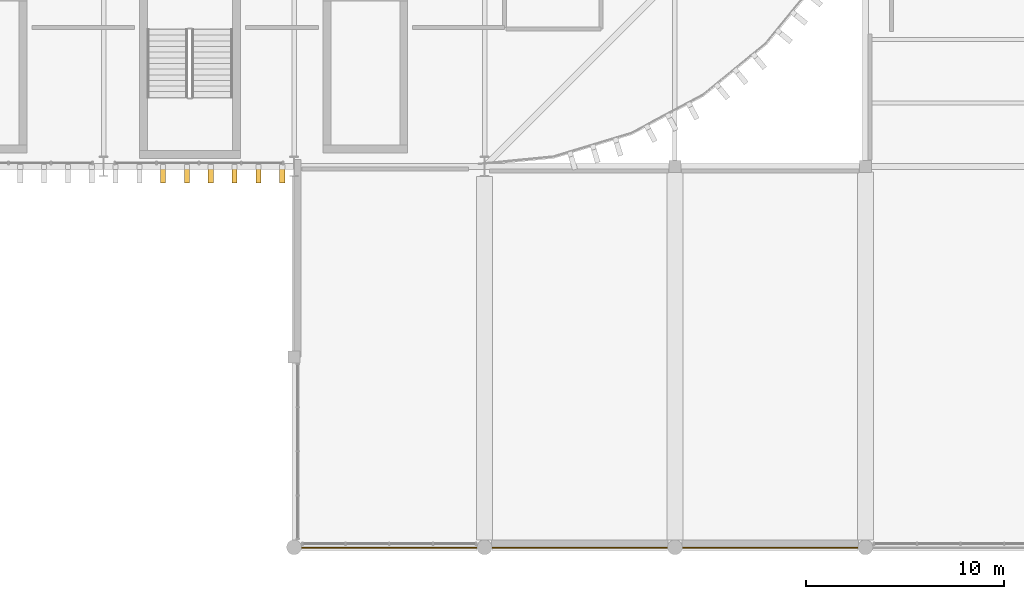
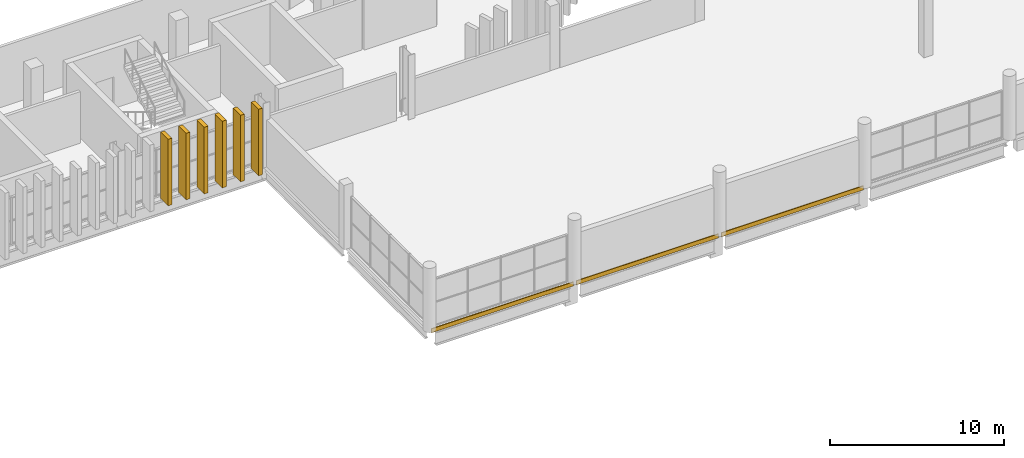
# One storey, part 83 of 92: 9 coverings.
"""IFC4 building model written with IfcOpenShell, lengths in metres."""

from ifc_helpers import new_model, si_unit, direction, frame, origin, origin_2d, place, context, subcontext, project, spatial, rectangle, extrude, material, layer, layer_set, material_profile, profile_set, type_object, element, save


model = new_model("IFC4")

# Units and contexts
model_context = context("Model", 3, precision=1e-05, world=origin(), true_north=direction((0.0, 1.0)))
body_context = subcontext(model_context, "Body", "Model", "MODEL_VIEW")
ifc_project = project(units=[si_unit("LENGTHUNIT", "METRE"), si_unit("AREAUNIT", "SQUARE_METRE"), si_unit("VOLUMEUNIT", "CUBIC_METRE"), si_unit("PLANEANGLEUNIT", "RADIAN"), si_unit("MASSUNIT", "GRAM", prefix="KILO")], contexts=[model_context])

# Site, building, storey
site_placement = place(None, origin())
site = spatial("IfcSite", under=ifc_project, at=site_placement, CompositionType="ELEMENT")
building_placement = place(site_placement, origin())
building = spatial("IfcBuilding", under=site, at=building_placement, Name="Caelomonte Colonnade Arena", CompositionType="ELEMENT")
storey_placement = place(building_placement, frame((0.0, 0.0, 9.60009765625)))
storey = spatial("IfcBuildingStorey", under=building, at=storey_placement, Name="L02", CompositionType="ELEMENT", Elevation=9.60009765625)

# Coverings
ifc_material_1 = material(Name="Travertine ashlar limestone cladding", Category="masonry")
ifc_layer = layer(ifc_material_1, 0.06005859375)
ifc_layer_set = layer_set([ifc_layer], Name="Travertine ashlar limestone cladding")
covering_type_1 = type_object("IfcCoveringType", Name="ENV-CV-CLAD1", PredefinedType="CLADDING", material=ifc_layer_set)
for number, where, z_axis, x_axis, name in (
    (1, (139.199951171875, -0.02001953125, -0.2802734375), (0.0, 0.0, 1.0), (1.0, 0.0, 0.0), "Portico limestone entablature cladding L02-1"),
    (2, (148.800048828125, -0.02001953125, -0.2802734375), (0.0, 0.0, 1.0), (1.0, 0.0, 0.0), "Portico limestone entablature cladding L02-2"),
    (3, (158.39990234375, -0.02001953125, -0.2802734375), (0.0, 0.0, 1.0), (1.0, 0.0, 0.0), "Portico limestone entablature cladding L02-3"),
):
    element("IfcCovering", number, at=place(storey_placement, frame(where, z_axis=z_axis, x_axis=x_axis)), inside=storey, type_object=covering_type_1, Name=name, PredefinedType="CLADDING", context=body_context, shape_type="SweptSolid", body=[
        extrude(rectangle(XDim=9.39990234375, YDim=0.06005859375, at=origin_2d()), origin(), (0.0, 0.0, 1.0), 0.280029296875),
    ])
ifc_material_2 = material(Name="Precast travertine cladding", Category="masonry")
ifc_material_profile = material_profile(ifc_material_2, rectangle(XDim=0.260009765625, YDim=0.85009765625, at=origin_2d()), Name="FIN260X850")
ifc_profile_set = profile_set([ifc_material_profile], Name="Precast travertine cladding")
covering_type_2 = type_object("IfcCoveringType", Name="ENV-FN-SHAFT", PredefinedType="CLADDING", material=ifc_profile_set)
for number, where, z_axis, x_axis, name in (
    (4, (127.800048828125, 18.779052734375, -0.16015625), (0.0, 0.0, 1.0), (-1.0, 0.0, 0.0), "V1 L02 classical travertine vertical fin 280"),
    (5, (129.0, 18.779052734375, -0.16015625), (0.0, 0.0, 1.0), (-1.0, 0.0, 0.0), "V1 L02 classical travertine vertical fin 281"),
    (6, (130.199951171875, 18.779052734375, -0.16015625), (0.0, 0.0, 1.0), (-1.0, 0.0, 0.0), "V1 L02 classical travertine vertical fin 282"),
    (7, (131.39990234375, 18.779052734375, -0.16015625), (0.0, 0.0, 1.0), (-1.0, 0.0, 0.0), "V1 L02 classical travertine vertical fin 283"),
    (8, (132.60009765625, 18.779052734375, -0.16015625), (0.0, 0.0, 1.0), (-1.0, 0.0, 0.0), "V1 L02 classical travertine vertical fin 284"),
    (9, (133.800048828125, 18.779052734375, -0.16015625), (0.0, 0.0, 1.0), (-1.0, 0.0, 0.0), "V1 L02 classical travertine vertical fin 285"),
):
    element("IfcCovering", number, at=place(storey_placement, frame(where, z_axis=z_axis, x_axis=x_axis)), inside=storey, type_object=covering_type_2, Name=name, PredefinedType="CLADDING", context=body_context, shape_type="SweptSolid", body=[
        extrude(rectangle(XDim=0.260009765625, YDim=0.85009765625, at=origin_2d()), origin(), (0.0, 0.0, 1.0), 4.66015625),
    ])

save(model, "model.ifc")
